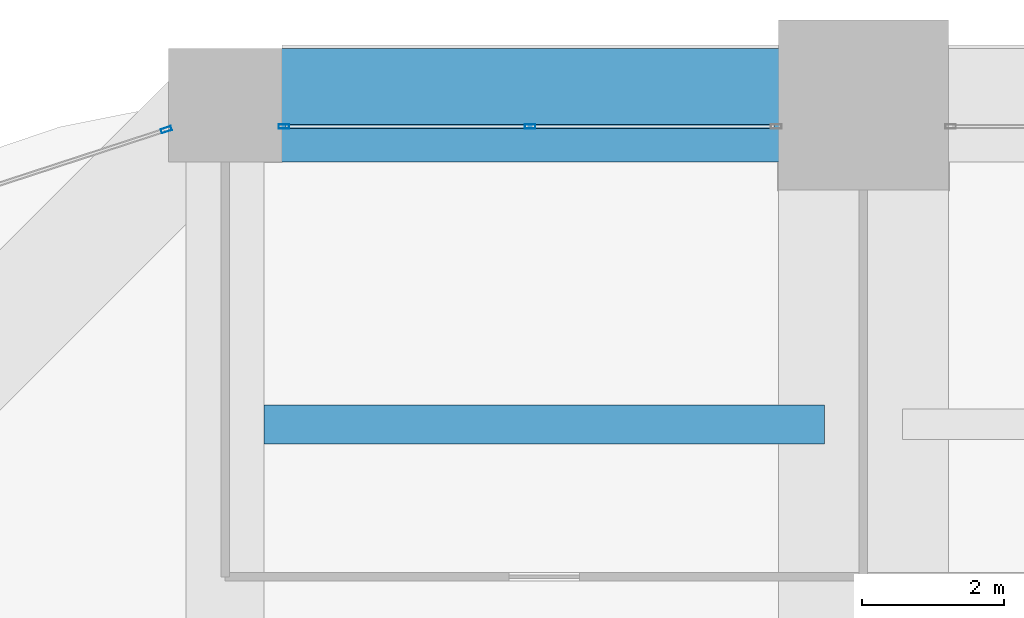
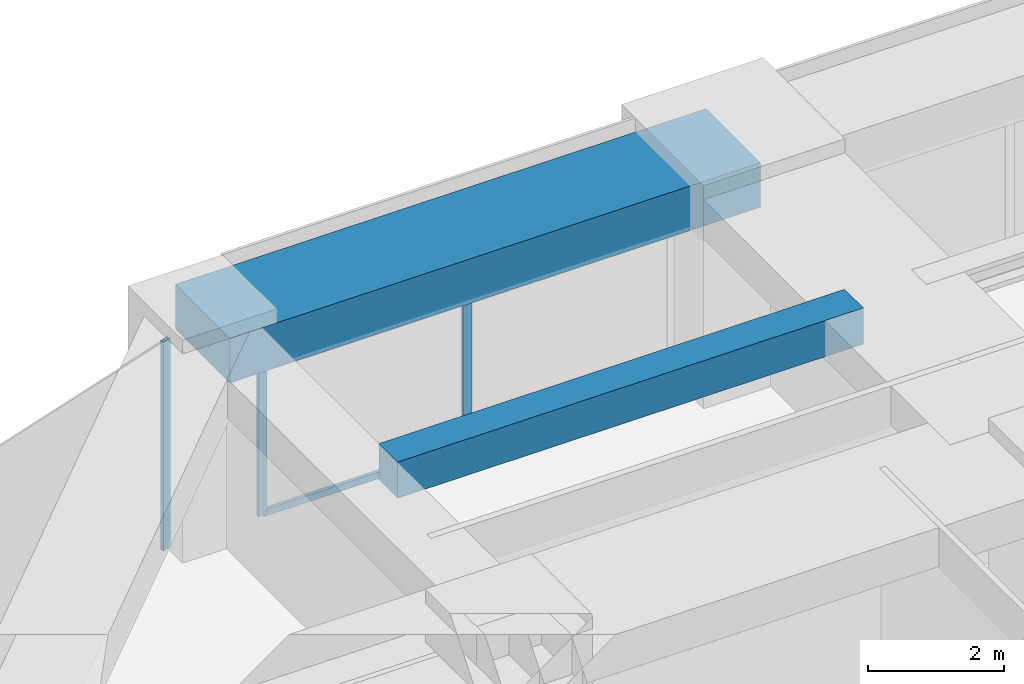
# One storey, part 27 of 43: 4 members, 2 beams, 2 elements without a shape of their own.
"""IFC4 building model written with IfcOpenShell, lengths in metres."""

from ifc_helpers import new_model, si_unit, direction, frame, origin, origin_2d, place, context, subcontext, project, spatial, rectangle, hollow_rectangle, extrude, material, material_profile, profile_set, type_object, element, aggregate, save


model = new_model("IFC4")

# Units and contexts
model_context = context("Model", 3, precision=1e-05, world=origin(), true_north=direction((0.0, 1.0)))
body_context = subcontext(model_context, "Body", "Model", "MODEL_VIEW")
ifc_project = project(units=[si_unit("LENGTHUNIT", "METRE"), si_unit("AREAUNIT", "SQUARE_METRE"), si_unit("VOLUMEUNIT", "CUBIC_METRE"), si_unit("PLANEANGLEUNIT", "RADIAN"), si_unit("MASSUNIT", "GRAM", prefix="KILO")], contexts=[model_context])

# Site, building, storey
site_placement = place(None, origin())
site = spatial("IfcSite", under=ifc_project, at=site_placement, CompositionType="ELEMENT")
building_placement = place(site_placement, origin())
building = spatial("IfcBuilding", under=site, at=building_placement, Name="Zorevar Civic Tower", CompositionType="ELEMENT")
storey_placement = place(building_placement, frame((0.0, 0.0, 141.0)))
storey = spatial("IfcBuildingStorey", under=building, at=storey_placement, Name="L34", CompositionType="ELEMENT", Elevation=141.0)

# Beam
ifc_material_1 = material(Name="Concrete C50/60", Category="concrete")
ifc_material_profile_1 = material_profile(ifc_material_1, rectangle(XDim=0.550048828125, YDim=0.64990234375, at=origin_2d()), Name="RC 550x650")
ifc_profile_set_1 = profile_set([ifc_material_profile_1], Name="Concrete C50/60")
beam_type_1 = type_object("IfcBeamType", Name="Beam RC 550x650", PredefinedType="BEAM", material=ifc_profile_set_1)
beam_1_placement = place(storey_placement, frame((9.550048828125, 40.5, 3.425048828125), z_axis=(1.0, 0.0, 0.0), x_axis=(0.0, 1.0, 0.0)))
element("IfcBeam", 1, at=beam_1_placement, inside=storey, type_object=beam_type_1, Name="Secondary beam L35", PredefinedType="BEAM", context=body_context, shape_type="SweptSolid", body=[
    extrude(rectangle(XDim=0.550048828125, YDim=0.64990234375, at=origin_2d()), origin(), (0.0, 0.0, 1.0), 7.89990234375),
])

# Curtain wall, members
ifc_material_2 = material(Name="Dark grey solar-control glass in black aluminium frame", Category="aluminium")
curtain_wall_type = type_object("IfcCurtainWallType", Name="Curtain wall CW3 mid zone", PredefinedType="NOTDEFINED", material=ifc_material_2)
curtain_wall_1_placement = place(storey_placement, origin())
curtain_wall_1 = element("IfcCurtainWall", 2, at=curtain_wall_1_placement, inside=storey, type_object=curtain_wall_type, Name="CW3 L34", PredefinedType="NOTDEFINED")
ifc_material_3 = material(Name="Aluminium, black anodised", Category="aluminium")
ifc_material_profile_2 = material_profile(ifc_material_3, hollow_rectangle(XDim=0.06005859375, YDim=0.14990234375, WallThickness=0.00390625, at=origin_2d()), Name="AL 150x60x4")
ifc_profile_set_2 = profile_set([ifc_material_profile_2], Name="Aluminium, black anodised")
member_type_1 = type_object("IfcMemberType", Name="CW3 mullion AL 150x60x4", PredefinedType="MULLION", material=ifc_profile_set_2)
member_1_placement = place(storey_placement, frame((9.830078125, 44.699951171875, 0.0), z_axis=(0.0, 0.0, 1.0), x_axis=(0.0, 1.0, 0.0)))
member_1 = element("IfcMember", 3, at=member_1_placement, type_object=member_type_1, Name="CW3 mullion 1", PredefinedType="MULLION", context=body_context, shape_type="SweptSolid", body=[
    extrude(hollow_rectangle(XDim=0.06005859375, YDim=0.14990234375, WallThickness=0.00390625, at=origin_2d()), origin(), (0.0, 0.0, 1.0), 2.949951171875),
])
member_2_placement = place(storey_placement, frame((13.300048828125, 44.699951171875, 0.06005859375), z_axis=(0.0, 0.0, 1.0), x_axis=(0.0, 1.0, 0.0)))
member_2 = element("IfcMember", 4, at=member_2_placement, type_object=member_type_1, Name="CW3 mullion 2", PredefinedType="MULLION", context=body_context, shape_type="SweptSolid", body=[
    extrude(hollow_rectangle(XDim=0.06005859375, YDim=0.14990234375, WallThickness=0.00390625, at=origin_2d()), origin(), (0.0, 0.0, 1.0), 2.889892578125),
])

# Curtain wall, member
curtain_wall_2_placement = place(storey_placement, origin())
curtain_wall_2 = element("IfcCurtainWall", 5, at=curtain_wall_2_placement, inside=storey, type_object=curtain_wall_type, Name="CW3 L34", PredefinedType="NOTDEFINED")
member_3_placement = place(storey_placement, frame((8.17138671875, 44.65380859375, 0.0), z_axis=(0.0, 0.0, 1.0), x_axis=(0.310263169163, -0.950650706548, 0.0)))
member_3 = element("IfcMember", 6, at=member_3_placement, type_object=member_type_1, Name="CW3 mullion 1", PredefinedType="MULLION", context=body_context, shape_type="SweptSolid", body=[
    extrude(hollow_rectangle(XDim=0.06005859375, YDim=0.14990234375, WallThickness=0.00390625, at=origin_2d()), origin(), (0.0, 0.0, 1.0), 3.75),
])
aggregate(curtain_wall_2, [member_3])

# Member
ifc_material_4 = material(Name="Aluminium, black anodised", Category="aluminium")
ifc_material_profile_3 = material_profile(ifc_material_4, hollow_rectangle(XDim=0.06005859375, YDim=0.1201171875, WallThickness=0.0029296875, at=origin_2d()), Name="AL 120x60x3")
ifc_profile_set_3 = profile_set([ifc_material_profile_3], Name="Aluminium, black anodised")
member_type_2 = type_object("IfcMemberType", Name="CW3 transom AL 120x60x3", PredefinedType="USERDEFINED", material=ifc_profile_set_3)
member_4_placement = place(storey_placement, frame((9.860107421875, 44.699951171875, 0.030029296875), z_axis=(1.0, 0.0, 0.0), x_axis=(0.0, 1.0, 0.0)))
member_4 = element("IfcMember", 7, at=member_4_placement, type_object=member_type_2, Name="CW3 sill transom", ObjectType="TRANSOM", PredefinedType="USERDEFINED", context=body_context, shape_type="SweptSolid", body=[
    extrude(hollow_rectangle(XDim=0.06005859375, YDim=0.1201171875, WallThickness=0.0029296875, at=origin_2d()), origin(), (0.0, 0.0, 1.0), 6.8798828125),
])

aggregate(curtain_wall_1, [member_1, member_2, member_4])

# Beam
ifc_material_5 = material(Name="Concrete C50/60", Category="concrete")
ifc_material_profile_4 = material_profile(ifc_material_5, rectangle(XDim=1.60009765625, YDim=0.800048828125, at=origin_2d()), Name="RC 1600x800")
ifc_profile_set_4 = profile_set([ifc_material_profile_4], Name="Concrete C50/60")
beam_type_2 = type_object("IfcBeamType", Name="Edge beam RC 1600x800", PredefinedType="SPANDREL", material=ifc_profile_set_4)
beam_2_placement = place(storey_placement, frame((9.0, 45.0, 3.35009765625), z_axis=(1.0, 0.0, 0.0), x_axis=(0.0, 1.0, 0.0)))
element("IfcBeam", 8, at=beam_2_placement, inside=storey, type_object=beam_type_2, Name="Edge beam L35", PredefinedType="SPANDREL", context=body_context, shape_type="SweptSolid", body=[
    extrude(rectangle(XDim=1.60009765625, YDim=0.800048828125, at=origin_2d()), origin(), (0.0, 0.0, 1.0), 9.0),
])

save(model, "model.ifc")
